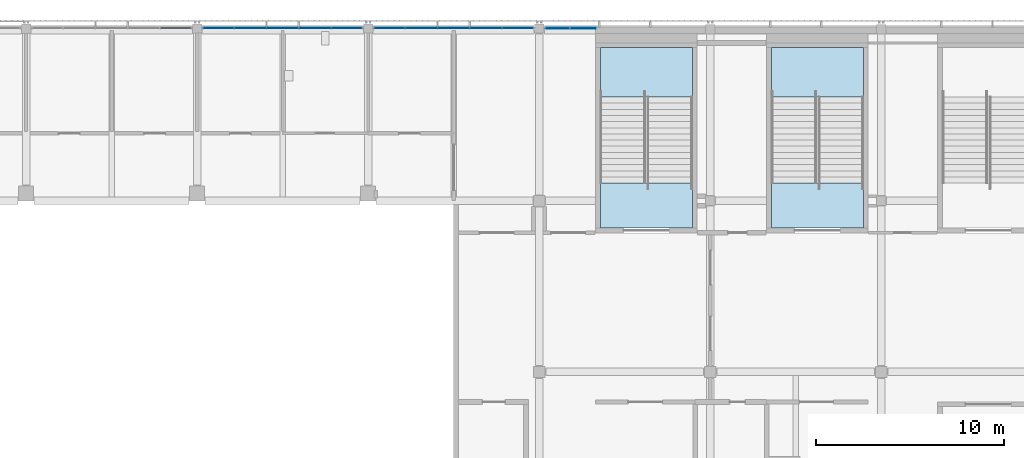
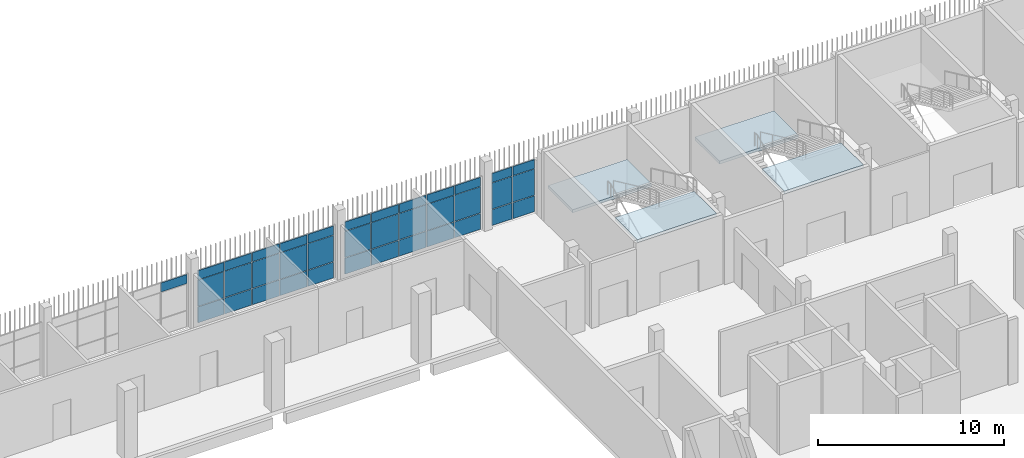
# One storey, part 63 of 124: 37 plates, 4 slabs, 6 elements without a shape of their own.
"""IFC4 building model written with IfcOpenShell, lengths in metres."""

from ifc_helpers import new_model, si_unit, direction, frame, origin, origin_2d, place, context, subcontext, project, spatial, polyline, rectangle, outline, extrude, material, layer, layer_set, type_object, element, aggregate, save


model = new_model("IFC4")

# Units and contexts
model_context = context("Model", 3, precision=1e-05, world=origin(), true_north=direction((0.0, 1.0)))
body_context = subcontext(model_context, "Body", "Model", "MODEL_VIEW")
ifc_project = project(units=[si_unit("LENGTHUNIT", "METRE"), si_unit("AREAUNIT", "SQUARE_METRE"), si_unit("VOLUMEUNIT", "CUBIC_METRE"), si_unit("PLANEANGLEUNIT", "RADIAN"), si_unit("MASSUNIT", "GRAM", prefix="KILO")], contexts=[model_context])

# Site, building, storey
site_placement = place(None, origin())
site = spatial("IfcSite", under=ifc_project, at=site_placement, CompositionType="ELEMENT")
building_placement = place(site_placement, origin())
building = spatial("IfcBuilding", under=site, at=building_placement, Name="Shirokan Park Arena", CompositionType="ELEMENT")
storey_placement = place(building_placement, frame((0.0, 0.0, 20.02001953125)))
storey = spatial("IfcBuildingStorey", under=building, at=storey_placement, Name="L04", CompositionType="ELEMENT", Elevation=20.02001953125)

# Curtain wall, plates
ifc_material_1 = material(Name="Steel and glass curtain wall", Category="steel")
ifc_layer_1 = layer(ifc_material_1, 0.1201171875)
ifc_layer_set_1 = layer_set([ifc_layer_1], Name="Steel and glass curtain wall 120 mm")
curtain_wall_type_1 = type_object("IfcCurtainWallType", Name="Curtain wall corner block side bay 120", PredefinedType="NOTDEFINED", material=ifc_layer_set_1)
curtain_wall_1_placement = place(storey_placement, origin())
curtain_wall_1 = element("IfcCurtainWall", 1, at=curtain_wall_1_placement, inside=storey, type_object=curtain_wall_type_1, Name="Curtain wall north bay 4 L04", PredefinedType="NOTDEFINED")
ifc_material_2 = material(Name="Aluminium sheet", Category="aluminium")
ifc_layer_2 = layer(ifc_material_2, 0.0029296875, Name="Aluminium sheet")
ifc_material_3 = material(Name="Mineral wool insulation")
ifc_layer_3 = layer(ifc_material_3, 0.053955078125, Name="Mineral wool insulation")
ifc_layer_4 = layer(ifc_material_2, 0.0029296875, Name="Aluminium sheet")
ifc_layer_set_2 = layer_set([ifc_layer_2, ifc_layer_3, ifc_layer_4], Name="Aluminium sheet + Mineral wool insulation")
plate_type_1 = type_object("IfcPlateType", Name="Insulated spandrel panel 60", PredefinedType="CURTAIN_PANEL", material=ifc_layer_set_2)
plate_1_placement = place(storey_placement, frame((111.52490234375, 109.2900390625, 2.8701171875), z_axis=(0.0, 0.0, 1.0), x_axis=(-1.0, 0.0, 0.0)))
plate_1 = element("IfcPlate", 2, at=plate_1_placement, type_object=plate_type_1, Name="CW3 panel 1.3", PredefinedType="CURTAIN_PANEL", context=body_context, shape_type="SweptSolid", body=[
    extrude(rectangle(XDim=1.35009765625, YDim=0.06005859375, at=origin_2d()), origin(), (0.0, 0.0, 1.0), 0.590087890625),
])
plate_2_placement = place(storey_placement, frame((110.175048828125, 109.2900390625, 2.8701171875), z_axis=(0.0, 0.0, 1.0), x_axis=(-1.0, 0.0, 0.0)))
plate_2 = element("IfcPlate", 3, at=plate_2_placement, type_object=plate_type_1, Name="CW3 panel 2.3", PredefinedType="CURTAIN_PANEL", context=body_context, shape_type="SweptSolid", body=[
    extrude(rectangle(XDim=1.25, YDim=0.06005859375, at=origin_2d()), origin(), (0.0, 0.0, 1.0), 0.590087890625),
])

ifc_layer_5 = layer(ifc_material_1, 0.10009765625)
ifc_layer_set_3 = layer_set([ifc_layer_5], Name="Steel and glass curtain wall 100 mm")
curtain_wall_type_2 = type_object("IfcCurtainWallType", Name="Curtain wall sheltered bay 100", PredefinedType="NOTDEFINED", material=ifc_layer_set_3)
curtain_wall_2_placement = place(storey_placement, origin())
curtain_wall_2 = element("IfcCurtainWall", 4, at=curtain_wall_2_placement, inside=storey, type_object=curtain_wall_type_2, Name="Curtain wall north bay 5 L04", PredefinedType="NOTDEFINED")
plate_3_placement = place(storey_placement, frame((108.052490234375, 109.300048828125, 2.8701171875), z_axis=(0.0, 0.0, 1.0), x_axis=(-1.0, 0.0, 0.0)))
plate_3 = element("IfcPlate", 5, at=plate_3_placement, type_object=plate_type_1, Name="CW2 panel 1.3", PredefinedType="CURTAIN_PANEL", context=body_context, shape_type="SweptSolid", body=[
    extrude(rectangle(XDim=1.594970703125, YDim=0.06005859375, at=origin_2d()), origin(), (0.0, 0.0, 1.0), 0.590087890625),
])
plate_4_placement = place(storey_placement, frame((106.3701171875, 109.300048828125, 2.8701171875), z_axis=(0.0, 0.0, 1.0), x_axis=(-1.0, 0.0, 0.0)))
plate_4 = element("IfcPlate", 6, at=plate_4_placement, type_object=plate_type_1, Name="CW2 panel 2.3", PredefinedType="CURTAIN_PANEL", context=body_context, shape_type="SweptSolid", body=[
    extrude(rectangle(XDim=1.669921875, YDim=0.06005859375, at=origin_2d()), origin(), (0.0, 0.0, 1.0), 0.590087890625),
])
plate_5_placement = place(storey_placement, frame((104.64990234375, 109.300048828125, 2.8701171875), z_axis=(0.0, 0.0, 1.0), x_axis=(-1.0, 0.0, 0.0)))
plate_5 = element("IfcPlate", 7, at=plate_5_placement, type_object=plate_type_1, Name="CW2 panel 3.3", PredefinedType="CURTAIN_PANEL", context=body_context, shape_type="SweptSolid", body=[
    extrude(rectangle(XDim=1.669921875, YDim=0.06005859375, at=origin_2d()), origin(), (0.0, 0.0, 1.0), 0.590087890625),
])
plate_6_placement = place(storey_placement, frame((102.929931640625, 109.300048828125, 2.8701171875), z_axis=(0.0, 0.0, 1.0), x_axis=(-1.0, 0.0, 0.0)))
plate_6 = element("IfcPlate", 8, at=plate_6_placement, type_object=plate_type_1, Name="CW2 panel 4.3", PredefinedType="CURTAIN_PANEL", context=body_context, shape_type="SweptSolid", body=[
    extrude(rectangle(XDim=1.669921875, YDim=0.06005859375, at=origin_2d()), origin(), (0.0, 0.0, 1.0), 0.590087890625),
])
plate_7_placement = place(storey_placement, frame((101.24755859375, 109.300048828125, 2.8701171875), z_axis=(0.0, 0.0, 1.0), x_axis=(-1.0, 0.0, 0.0)))
plate_7 = element("IfcPlate", 9, at=plate_7_placement, type_object=plate_type_1, Name="CW2 panel 5.3", PredefinedType="CURTAIN_PANEL", context=body_context, shape_type="SweptSolid", body=[
    extrude(rectangle(XDim=1.594970703125, YDim=0.06005859375, at=origin_2d()), origin(), (0.0, 0.0, 1.0), 0.590087890625),
])

curtain_wall_3_placement = place(storey_placement, origin())
curtain_wall_3 = element("IfcCurtainWall", 10, at=curtain_wall_3_placement, inside=storey, type_object=curtain_wall_type_2, Name="Curtain wall north bay 6 L04", PredefinedType="NOTDEFINED")
plate_8_placement = place(storey_placement, frame((98.952392578125, 109.300048828125, 2.8701171875), z_axis=(0.0, 0.0, 1.0), x_axis=(-1.0, 0.0, 0.0)))
plate_8 = element("IfcPlate", 11, at=plate_8_placement, type_object=plate_type_1, Name="CW2 panel 1.3", PredefinedType="CURTAIN_PANEL", context=body_context, shape_type="SweptSolid", body=[
    extrude(rectangle(XDim=1.594970703125, YDim=0.06005859375, at=origin_2d()), origin(), (0.0, 0.0, 1.0), 0.590087890625),
])
plate_9_placement = place(storey_placement, frame((97.27001953125, 109.300048828125, 2.8701171875), z_axis=(0.0, 0.0, 1.0), x_axis=(-1.0, 0.0, 0.0)))
plate_9 = element("IfcPlate", 12, at=plate_9_placement, type_object=plate_type_1, Name="CW2 panel 2.3", PredefinedType="CURTAIN_PANEL", context=body_context, shape_type="SweptSolid", body=[
    extrude(rectangle(XDim=1.669921875, YDim=0.06005859375, at=origin_2d()), origin(), (0.0, 0.0, 1.0), 0.590087890625),
])
plate_10_placement = place(storey_placement, frame((95.550048828125, 109.300048828125, 2.8701171875), z_axis=(0.0, 0.0, 1.0), x_axis=(-1.0, 0.0, 0.0)))
plate_10 = element("IfcPlate", 13, at=plate_10_placement, type_object=plate_type_1, Name="CW2 panel 3.3", PredefinedType="CURTAIN_PANEL", context=body_context, shape_type="SweptSolid", body=[
    extrude(rectangle(XDim=1.669921875, YDim=0.06005859375, at=origin_2d()), origin(), (0.0, 0.0, 1.0), 0.590087890625),
])
plate_11_placement = place(storey_placement, frame((93.830078125, 109.300048828125, 2.8701171875), z_axis=(0.0, 0.0, 1.0), x_axis=(-1.0, 0.0, 0.0)))
plate_11 = element("IfcPlate", 14, at=plate_11_placement, type_object=plate_type_1, Name="CW2 panel 4.3", PredefinedType="CURTAIN_PANEL", context=body_context, shape_type="SweptSolid", body=[
    extrude(rectangle(XDim=1.669921875, YDim=0.06005859375, at=origin_2d()), origin(), (0.0, 0.0, 1.0), 0.590087890625),
])
plate_12_placement = place(storey_placement, frame((92.1474609375, 109.300048828125, 2.8701171875), z_axis=(0.0, 0.0, 1.0), x_axis=(-1.0, 0.0, 0.0)))
plate_12 = element("IfcPlate", 15, at=plate_12_placement, type_object=plate_type_1, Name="CW2 panel 5.3", PredefinedType="CURTAIN_PANEL", context=body_context, shape_type="SweptSolid", body=[
    extrude(rectangle(XDim=1.594970703125, YDim=0.06005859375, at=origin_2d()), origin(), (0.0, 0.0, 1.0), 0.590087890625),
])

# Curtain wall, plate
curtain_wall_4_placement = place(storey_placement, origin())
curtain_wall_4 = element("IfcCurtainWall", 16, at=curtain_wall_4_placement, inside=storey, type_object=curtain_wall_type_2, Name="Curtain wall north bay 7 L04", PredefinedType="NOTDEFINED")
plate_13_placement = place(storey_placement, frame((89.8525390625, 109.300048828125, 2.8701171875), z_axis=(0.0, 0.0, 1.0), x_axis=(-1.0, 0.0, 0.0)))
plate_13 = element("IfcPlate", 17, at=plate_13_placement, type_object=plate_type_1, Name="CW2 panel 1.3", PredefinedType="CURTAIN_PANEL", context=body_context, shape_type="SweptSolid", body=[
    extrude(rectangle(XDim=1.594970703125, YDim=0.06005859375, at=origin_2d()), origin(), (0.0, 0.0, 1.0), 0.590087890625),
])
aggregate(curtain_wall_4, [plate_13])

# Plate
ifc_material_4 = material(Name="Toughened glass", Category="glass")
ifc_layer_6 = layer(ifc_material_4, 0.012939453125, Name="Toughened glass")
ifc_material_5 = material(Name="Interlayer film")
ifc_layer_7 = layer(ifc_material_5, 0.001953125, Name="Interlayer film")
ifc_layer_8 = layer(ifc_material_4, 0.012939453125, Name="Toughened glass")
ifc_layer_set_4 = layer_set([ifc_layer_6, ifc_layer_7, ifc_layer_8], Name="Toughened glass + Interlayer film")
plate_type_2 = type_object("IfcPlateType", Name="Laminated glass panel 28", PredefinedType="CURTAIN_PANEL", material=ifc_layer_set_4)
plate_14_placement = place(storey_placement, frame((111.52490234375, 109.2900390625, 1.1201171875), z_axis=(0.0, 0.0, 1.0), x_axis=(-1.0, 0.0, 0.0)))
plate_14 = element("IfcPlate", 18, at=plate_14_placement, type_object=plate_type_2, Name="CW3 panel 1.2", PredefinedType="CURTAIN_PANEL", context=body_context, shape_type="SweptSolid", body=[
    extrude(rectangle(XDim=1.35009765625, YDim=0.028076171875, at=origin_2d()), origin(), (0.0, 0.0, 1.0), 1.7099609375),
])

plate_15_placement = place(storey_placement, frame((110.175048828125, 109.2900390625, 1.1201171875), z_axis=(0.0, 0.0, 1.0), x_axis=(-1.0, 0.0, 0.0)))
plate_15 = element("IfcPlate", 19, at=plate_15_placement, type_object=plate_type_2, Name="CW3 panel 2.2", PredefinedType="CURTAIN_PANEL", context=body_context, shape_type="SweptSolid", body=[
    extrude(rectangle(XDim=1.25, YDim=0.028076171875, at=origin_2d()), origin(), (0.0, 0.0, 1.0), 1.7099609375),
])

plate_16_placement = place(storey_placement, frame((108.052490234375, 109.300048828125, 1.1201171875), z_axis=(0.0, 0.0, 1.0), x_axis=(-1.0, 0.0, 0.0)))
plate_16 = element("IfcPlate", 20, at=plate_16_placement, type_object=plate_type_2, Name="CW2 panel 1.2", PredefinedType="CURTAIN_PANEL", context=body_context, shape_type="SweptSolid", body=[
    extrude(rectangle(XDim=1.594970703125, YDim=0.028076171875, at=origin_2d()), origin(), (0.0, 0.0, 1.0), 1.7099609375),
])

plate_17_placement = place(storey_placement, frame((106.3701171875, 109.300048828125, 1.1201171875), z_axis=(0.0, 0.0, 1.0), x_axis=(-1.0, 0.0, 0.0)))
plate_17 = element("IfcPlate", 21, at=plate_17_placement, type_object=plate_type_2, Name="CW2 panel 2.2", PredefinedType="CURTAIN_PANEL", context=body_context, shape_type="SweptSolid", body=[
    extrude(rectangle(XDim=1.669921875, YDim=0.028076171875, at=origin_2d()), origin(), (0.0, 0.0, 1.0), 1.7099609375),
])

plate_18_placement = place(storey_placement, frame((104.64990234375, 109.300048828125, 1.1201171875), z_axis=(0.0, 0.0, 1.0), x_axis=(-1.0, 0.0, 0.0)))
plate_18 = element("IfcPlate", 22, at=plate_18_placement, type_object=plate_type_2, Name="CW2 panel 3.2", PredefinedType="CURTAIN_PANEL", context=body_context, shape_type="SweptSolid", body=[
    extrude(rectangle(XDim=1.669921875, YDim=0.028076171875, at=origin_2d()), origin(), (0.0, 0.0, 1.0), 1.7099609375),
])

plate_19_placement = place(storey_placement, frame((102.929931640625, 109.300048828125, 1.1201171875), z_axis=(0.0, 0.0, 1.0), x_axis=(-1.0, 0.0, 0.0)))
plate_19 = element("IfcPlate", 23, at=plate_19_placement, type_object=plate_type_2, Name="CW2 panel 4.2", PredefinedType="CURTAIN_PANEL", context=body_context, shape_type="SweptSolid", body=[
    extrude(rectangle(XDim=1.669921875, YDim=0.028076171875, at=origin_2d()), origin(), (0.0, 0.0, 1.0), 1.7099609375),
])

plate_20_placement = place(storey_placement, frame((101.24755859375, 109.300048828125, 1.1201171875), z_axis=(0.0, 0.0, 1.0), x_axis=(-1.0, 0.0, 0.0)))
plate_20 = element("IfcPlate", 24, at=plate_20_placement, type_object=plate_type_2, Name="CW2 panel 5.2", PredefinedType="CURTAIN_PANEL", context=body_context, shape_type="SweptSolid", body=[
    extrude(rectangle(XDim=1.594970703125, YDim=0.028076171875, at=origin_2d()), origin(), (0.0, 0.0, 1.0), 1.7099609375),
])

plate_21_placement = place(storey_placement, frame((98.952392578125, 109.300048828125, 1.1201171875), z_axis=(0.0, 0.0, 1.0), x_axis=(-1.0, 0.0, 0.0)))
plate_21 = element("IfcPlate", 25, at=plate_21_placement, type_object=plate_type_2, Name="CW2 panel 1.2", PredefinedType="CURTAIN_PANEL", context=body_context, shape_type="SweptSolid", body=[
    extrude(rectangle(XDim=1.594970703125, YDim=0.028076171875, at=origin_2d()), origin(), (0.0, 0.0, 1.0), 1.7099609375),
])

plate_22_placement = place(storey_placement, frame((97.27001953125, 109.300048828125, 1.1201171875), z_axis=(0.0, 0.0, 1.0), x_axis=(-1.0, 0.0, 0.0)))
plate_22 = element("IfcPlate", 26, at=plate_22_placement, type_object=plate_type_2, Name="CW2 panel 2.2", PredefinedType="CURTAIN_PANEL", context=body_context, shape_type="SweptSolid", body=[
    extrude(rectangle(XDim=1.669921875, YDim=0.028076171875, at=origin_2d()), origin(), (0.0, 0.0, 1.0), 1.7099609375),
])

plate_23_placement = place(storey_placement, frame((95.550048828125, 109.300048828125, 1.1201171875), z_axis=(0.0, 0.0, 1.0), x_axis=(-1.0, 0.0, 0.0)))
plate_23 = element("IfcPlate", 27, at=plate_23_placement, type_object=plate_type_2, Name="CW2 panel 3.2", PredefinedType="CURTAIN_PANEL", context=body_context, shape_type="SweptSolid", body=[
    extrude(rectangle(XDim=1.669921875, YDim=0.028076171875, at=origin_2d()), origin(), (0.0, 0.0, 1.0), 1.7099609375),
])

plate_24_placement = place(storey_placement, frame((93.830078125, 109.300048828125, 1.1201171875), z_axis=(0.0, 0.0, 1.0), x_axis=(-1.0, 0.0, 0.0)))
plate_24 = element("IfcPlate", 28, at=plate_24_placement, type_object=plate_type_2, Name="CW2 panel 4.2", PredefinedType="CURTAIN_PANEL", context=body_context, shape_type="SweptSolid", body=[
    extrude(rectangle(XDim=1.669921875, YDim=0.028076171875, at=origin_2d()), origin(), (0.0, 0.0, 1.0), 1.7099609375),
])

plate_25_placement = place(storey_placement, frame((92.1474609375, 109.300048828125, 1.1201171875), z_axis=(0.0, 0.0, 1.0), x_axis=(-1.0, 0.0, 0.0)))
plate_25 = element("IfcPlate", 29, at=plate_25_placement, type_object=plate_type_2, Name="CW2 panel 5.2", PredefinedType="CURTAIN_PANEL", context=body_context, shape_type="SweptSolid", body=[
    extrude(rectangle(XDim=1.594970703125, YDim=0.028076171875, at=origin_2d()), origin(), (0.0, 0.0, 1.0), 1.7099609375),
])

ifc_layer_9 = layer(ifc_material_4, 0.01708984375, Name="Toughened glass")
ifc_layer_10 = layer(ifc_material_5, 0.001953125, Name="Interlayer film")
ifc_layer_11 = layer(ifc_material_4, 0.01708984375, Name="Toughened glass")
ifc_layer_set_5 = layer_set([ifc_layer_9, ifc_layer_10, ifc_layer_11], Name="Toughened glass + Interlayer film")
plate_type_3 = type_object("IfcPlateType", Name="Laminated safety glass panel 36", PredefinedType="CURTAIN_PANEL", material=ifc_layer_set_5)
plate_26_placement = place(storey_placement, frame((111.52490234375, 109.2900390625, 0.0400390625), z_axis=(0.0, 0.0, 1.0), x_axis=(-1.0, 0.0, 0.0)))
plate_26 = element("IfcPlate", 30, at=plate_26_placement, type_object=plate_type_3, Name="CW3 panel 1.1", PredefinedType="CURTAIN_PANEL", context=body_context, shape_type="SweptSolid", body=[
    extrude(rectangle(XDim=1.35009765625, YDim=0.035888671875, at=origin_2d()), origin(), (0.0, 0.0, 1.0), 1.0400390625),
])

plate_27_placement = place(storey_placement, frame((110.175048828125, 109.2900390625, 0.0400390625), z_axis=(0.0, 0.0, 1.0), x_axis=(-1.0, 0.0, 0.0)))
plate_27 = element("IfcPlate", 31, at=plate_27_placement, type_object=plate_type_3, Name="CW3 panel 2.1", PredefinedType="CURTAIN_PANEL", context=body_context, shape_type="SweptSolid", body=[
    extrude(rectangle(XDim=1.25, YDim=0.035888671875, at=origin_2d()), origin(), (0.0, 0.0, 1.0), 1.0400390625),
])

aggregate(curtain_wall_1, [plate_26, plate_14, plate_1, plate_27, plate_15, plate_2])

plate_28_placement = place(storey_placement, frame((108.052490234375, 109.300048828125, 0.0400390625), z_axis=(0.0, 0.0, 1.0), x_axis=(-1.0, 0.0, 0.0)))
plate_28 = element("IfcPlate", 32, at=plate_28_placement, type_object=plate_type_3, Name="CW2 panel 1.1", PredefinedType="CURTAIN_PANEL", context=body_context, shape_type="SweptSolid", body=[
    extrude(rectangle(XDim=1.594970703125, YDim=0.035888671875, at=origin_2d()), origin(), (0.0, 0.0, 1.0), 1.0400390625),
])

plate_29_placement = place(storey_placement, frame((106.3701171875, 109.300048828125, 0.0400390625), z_axis=(0.0, 0.0, 1.0), x_axis=(-1.0, 0.0, 0.0)))
plate_29 = element("IfcPlate", 33, at=plate_29_placement, type_object=plate_type_3, Name="CW2 panel 2.1", PredefinedType="CURTAIN_PANEL", context=body_context, shape_type="SweptSolid", body=[
    extrude(rectangle(XDim=1.669921875, YDim=0.035888671875, at=origin_2d()), origin(), (0.0, 0.0, 1.0), 1.0400390625),
])

plate_30_placement = place(storey_placement, frame((104.64990234375, 109.300048828125, 0.0400390625), z_axis=(0.0, 0.0, 1.0), x_axis=(-1.0, 0.0, 0.0)))
plate_30 = element("IfcPlate", 34, at=plate_30_placement, type_object=plate_type_3, Name="CW2 panel 3.1", PredefinedType="CURTAIN_PANEL", context=body_context, shape_type="SweptSolid", body=[
    extrude(rectangle(XDim=1.669921875, YDim=0.035888671875, at=origin_2d()), origin(), (0.0, 0.0, 1.0), 1.0400390625),
])

plate_31_placement = place(storey_placement, frame((102.929931640625, 109.300048828125, 0.0400390625), z_axis=(0.0, 0.0, 1.0), x_axis=(-1.0, 0.0, 0.0)))
plate_31 = element("IfcPlate", 35, at=plate_31_placement, type_object=plate_type_3, Name="CW2 panel 4.1", PredefinedType="CURTAIN_PANEL", context=body_context, shape_type="SweptSolid", body=[
    extrude(rectangle(XDim=1.669921875, YDim=0.035888671875, at=origin_2d()), origin(), (0.0, 0.0, 1.0), 1.0400390625),
])

plate_32_placement = place(storey_placement, frame((101.24755859375, 109.300048828125, 0.0400390625), z_axis=(0.0, 0.0, 1.0), x_axis=(-1.0, 0.0, 0.0)))
plate_32 = element("IfcPlate", 36, at=plate_32_placement, type_object=plate_type_3, Name="CW2 panel 5.1", PredefinedType="CURTAIN_PANEL", context=body_context, shape_type="SweptSolid", body=[
    extrude(rectangle(XDim=1.594970703125, YDim=0.035888671875, at=origin_2d()), origin(), (0.0, 0.0, 1.0), 1.0400390625),
])

aggregate(curtain_wall_2, [plate_28, plate_16, plate_3, plate_29, plate_17, plate_4, plate_30, plate_18, plate_5, plate_31, plate_19, plate_6, plate_32, plate_20, plate_7])

plate_33_placement = place(storey_placement, frame((98.952392578125, 109.300048828125, 0.0400390625), z_axis=(0.0, 0.0, 1.0), x_axis=(-1.0, 0.0, 0.0)))
plate_33 = element("IfcPlate", 37, at=plate_33_placement, type_object=plate_type_3, Name="CW2 panel 1.1", PredefinedType="CURTAIN_PANEL", context=body_context, shape_type="SweptSolid", body=[
    extrude(rectangle(XDim=1.594970703125, YDim=0.035888671875, at=origin_2d()), origin(), (0.0, 0.0, 1.0), 1.0400390625),
])

plate_34_placement = place(storey_placement, frame((97.27001953125, 109.300048828125, 0.0400390625), z_axis=(0.0, 0.0, 1.0), x_axis=(-1.0, 0.0, 0.0)))
plate_34 = element("IfcPlate", 38, at=plate_34_placement, type_object=plate_type_3, Name="CW2 panel 2.1", PredefinedType="CURTAIN_PANEL", context=body_context, shape_type="SweptSolid", body=[
    extrude(rectangle(XDim=1.669921875, YDim=0.035888671875, at=origin_2d()), origin(), (0.0, 0.0, 1.0), 1.0400390625),
])

plate_35_placement = place(storey_placement, frame((95.550048828125, 109.300048828125, 0.0400390625), z_axis=(0.0, 0.0, 1.0), x_axis=(-1.0, 0.0, 0.0)))
plate_35 = element("IfcPlate", 39, at=plate_35_placement, type_object=plate_type_3, Name="CW2 panel 3.1", PredefinedType="CURTAIN_PANEL", context=body_context, shape_type="SweptSolid", body=[
    extrude(rectangle(XDim=1.669921875, YDim=0.035888671875, at=origin_2d()), origin(), (0.0, 0.0, 1.0), 1.0400390625),
])

plate_36_placement = place(storey_placement, frame((93.830078125, 109.300048828125, 0.0400390625), z_axis=(0.0, 0.0, 1.0), x_axis=(-1.0, 0.0, 0.0)))
plate_36 = element("IfcPlate", 40, at=plate_36_placement, type_object=plate_type_3, Name="CW2 panel 4.1", PredefinedType="CURTAIN_PANEL", context=body_context, shape_type="SweptSolid", body=[
    extrude(rectangle(XDim=1.669921875, YDim=0.035888671875, at=origin_2d()), origin(), (0.0, 0.0, 1.0), 1.0400390625),
])

plate_37_placement = place(storey_placement, frame((92.1474609375, 109.300048828125, 0.0400390625), z_axis=(0.0, 0.0, 1.0), x_axis=(-1.0, 0.0, 0.0)))
plate_37 = element("IfcPlate", 41, at=plate_37_placement, type_object=plate_type_3, Name="CW2 panel 5.1", PredefinedType="CURTAIN_PANEL", context=body_context, shape_type="SweptSolid", body=[
    extrude(rectangle(XDim=1.594970703125, YDim=0.035888671875, at=origin_2d()), origin(), (0.0, 0.0, 1.0), 1.0400390625),
])

aggregate(curtain_wall_3, [plate_33, plate_21, plate_8, plate_34, plate_22, plate_9, plate_35, plate_23, plate_10, plate_36, plate_24, plate_11, plate_37, plate_25, plate_12])

# Stair, slabs
ifc_material_6 = material(Name="Concrete C30 precast", Category="concrete")
stair_type = type_object("IfcStairType", Name="Stair 30 risers 152 x 327 2400 wide", PredefinedType="TWO_STRAIGHT_RUN_STAIR", material=ifc_material_6)
stair_1_placement = place(storey_placement, origin())
stair_1 = element("IfcStair", 42, at=stair_1_placement, inside=storey, type_object=stair_type, Name="Exit Stair 3.C L04 to L05", PredefinedType="TWO_STRAIGHT_RUN_STAIR")
ifc_layer_12 = layer(ifc_material_6, 0.199951171875)
ifc_layer_set_6 = layer_set([ifc_layer_12], Name="Concrete C30 precast 200 mm")
slab_type = type_object("IfcSlabType", Name="Stair landing 200", PredefinedType="LANDING", material=ifc_layer_set_6)
slab_1_placement = place(storey_placement, frame((0.0, 0.0, 2.074951171875)))
slab_1 = element("IfcSlab", 43, at=slab_1_placement, type_object=slab_type, Name="ST18.5 landing 1", PredefinedType="LANDING", context=body_context, shape_type="SweptSolid", body=[
    extrude(outline(polyline([(121.550048828125, 105.623779296875), (126.449951171875, 105.623779296875), (126.449951171875, 108.25), (121.550048828125, 108.25), (121.550048828125, 105.623779296875)])), origin(), (0.0, 0.0, 1.0), 0.199951171875),
])
slab_2_placement = place(storey_placement, frame((0.0, 0.0, 4.35009765625)))
slab_2 = element("IfcSlab", 44, at=slab_2_placement, type_object=slab_type, Name="ST18.5 landing 2", PredefinedType="LANDING", context=body_context, shape_type="SweptSolid", body=[
    extrude(outline(polyline([(121.550048828125, 98.64990234375), (126.449951171875, 98.64990234375), (126.449951171875, 101.050048828125), (121.550048828125, 101.050048828125), (121.550048828125, 98.64990234375)])), origin(), (0.0, 0.0, 1.0), 0.199951171875),
])
aggregate(stair_1, [slab_1, slab_2])

stair_2_placement = place(storey_placement, origin())
stair_2 = element("IfcStair", 45, at=stair_2_placement, inside=storey, type_object=stair_type, Name="Exit Stair 3.D L04 to L05", PredefinedType="TWO_STRAIGHT_RUN_STAIR")
slab_3_placement = place(storey_placement, frame((0.0, 0.0, 2.074951171875)))
slab_3 = element("IfcSlab", 46, at=slab_3_placement, type_object=slab_type, Name="ST19.5 landing 1", PredefinedType="LANDING", context=body_context, shape_type="SweptSolid", body=[
    extrude(outline(polyline([(112.449951171875, 105.623779296875), (117.35009765625, 105.623779296875), (117.35009765625, 108.25), (112.449951171875, 108.25), (112.449951171875, 105.623779296875)])), origin(), (0.0, 0.0, 1.0), 0.199951171875),
])
slab_4_placement = place(storey_placement, frame((0.0, 0.0, 4.35009765625)))
slab_4 = element("IfcSlab", 47, at=slab_4_placement, type_object=slab_type, Name="ST19.5 landing 2", PredefinedType="LANDING", context=body_context, shape_type="SweptSolid", body=[
    extrude(outline(polyline([(112.449951171875, 98.64990234375), (117.35009765625, 98.64990234375), (117.35009765625, 101.050048828125), (112.449951171875, 101.050048828125), (112.449951171875, 98.64990234375)])), origin(), (0.0, 0.0, 1.0), 0.199951171875),
])
aggregate(stair_2, [slab_3, slab_4])

save(model, "model.ifc")
